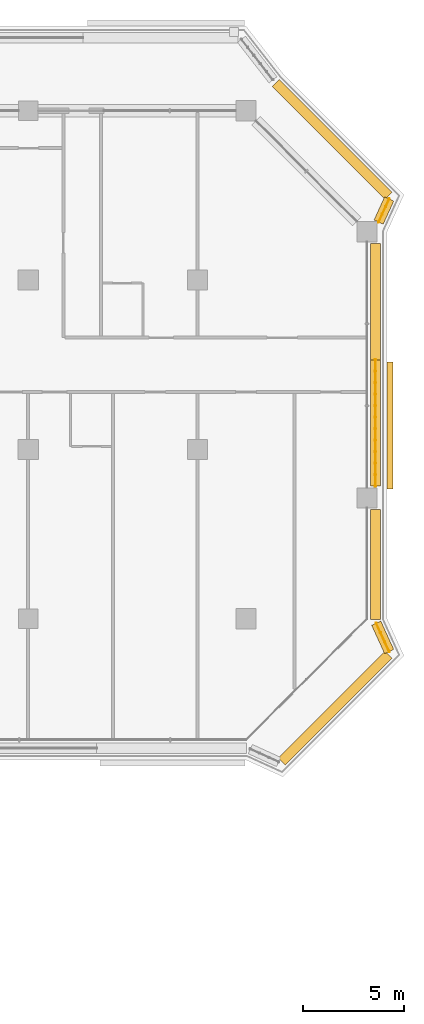
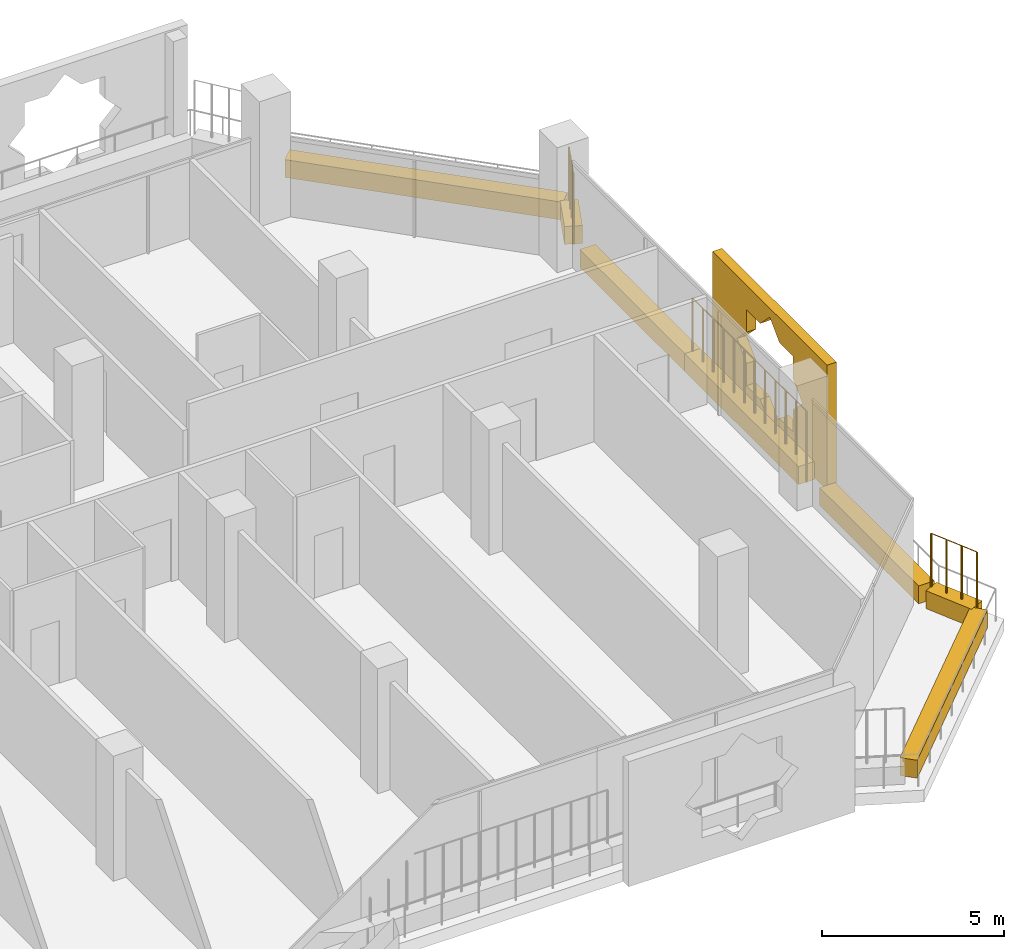
# One storey, part 23 of 23: 8 coverings, 3 railings.
"""IFC4 building model written with IfcOpenShell, lengths in metres."""

import ifcopenshell
import ifcopenshell.guid

model = None  # the IFC model being written
_history = None  # IfcOwnerHistory: only IFC2X3 demands one
_inside = {}  # id of a spatial element -> (the spatial element, [elements in it])
_under = {}  # id of a project, library or spatial element -> (it, [spatial elements below it])
_declared = {}  # id of a project -> (the project, [libraries it declares])
_typed = {}  # id of a type object -> (the type object, [elements of that type])
_made_of = {}  # id of a material, layer set ... -> (it, [elements and type objects made of it])


def new_model(schema):
    """Start an empty IFC model of exactly this schema.

    Asked for "IFC4X3", IfcOpenShell would pick the latest addendum, in which some entities
    have other attributes; the version numbers below select the first issue.
    IFC2X3 requires an IfcOwnerHistory on every rooted entity: one is made here for all.
    """
    global model, _history
    if schema == "IFC4X3":
        model = ifcopenshell.file(schema_version=(4, 3, 0, 0))
    else:
        model = ifcopenshell.file(schema=schema)
    _inside.clear()
    _under.clear()
    _declared.clear()
    _typed.clear()
    _made_of.clear()
    _history = None
    if model.schema == "IFC2X3":
        org = make("IfcOrganization", Name="unknown")
        user = make(
            "IfcPersonAndOrganization",
            ThePerson=make("IfcPerson", FamilyName="unknown"),
            TheOrganization=org,
        )
        app = make(
            "IfcApplication",
            ApplicationDeveloper=org,
            Version="unknown",
            ApplicationFullName="unknown",
            ApplicationIdentifier="unknown",
        )
        _history = make(
            "IfcOwnerHistory",
            OwningUser=user,
            OwningApplication=app,
            ChangeAction="ADDED",
            CreationDate=0,
        )
    return model


def make(cls, **values):
    """One entity of the class cls with the attributes given. An attribute that is None is left unset."""
    return model.create_entity(
        cls, **{name: value for name, value in values.items() if value is not None}
    )


def rooted(cls, **values):
    """An entity with a GlobalId (a new one), such as an element, a storey or a relation."""
    return make(cls, GlobalId=ifcopenshell.guid.new(), OwnerHistory=_history, **values)


def si_unit(unit_type, name, prefix=None):
    """IfcSIUnit, for example si_unit("LENGTHUNIT", "METRE", prefix="MILLI")."""
    return make("IfcSIUnit", UnitType=unit_type, Prefix=prefix, Name=name)


def assignment(units):
    """IfcUnitAssignment: the units of a project."""
    return None if units is None else make("IfcUnitAssignment", Units=units)


def point(xyz):
    """IfcCartesianPoint."""
    return None if xyz is None else make("IfcCartesianPoint", Coordinates=xyz)


def direction(xyz):
    """IfcDirection."""
    return None if xyz is None else make("IfcDirection", DirectionRatios=xyz)


def frame(location, z_axis=None, x_axis=None):
    """IfcAxis2Placement3D, a coordinate frame: its origin and axes. An axis left out is left unset."""
    return make(
        "IfcAxis2Placement3D",
        Location=point(location),
        Axis=direction(z_axis),
        RefDirection=direction(x_axis),
    )


def frame_2d(location, x_axis=None):
    """IfcAxis2Placement2D, a coordinate frame in the plane: its origin and x axis."""
    return make(
        "IfcAxis2Placement2D", Location=point(location), RefDirection=direction(x_axis)
    )


def origin():
    """The frame at (0, 0, 0) with its axes left unset."""
    return frame((0.0, 0.0, 0.0))


def origin_2d():
    """The frame at (0, 0) in the plane with its x axis left unset."""
    return frame_2d((0.0, 0.0))


def place(relative_to, where):
    """IfcLocalPlacement: puts the frame where relative to a parent placement (None: the world)."""
    return make(
        "IfcLocalPlacement", PlacementRelTo=relative_to, RelativePlacement=where
    )


def context(
    kind, dimensions, precision=None, world=None, true_north=None, identifier=None
):
    """IfcGeometricRepresentationContext, for example the 3D "Model" context."""
    return make(
        "IfcGeometricRepresentationContext",
        ContextIdentifier=identifier,
        ContextType=kind,
        CoordinateSpaceDimension=dimensions,
        Precision=precision,
        WorldCoordinateSystem=world,
        TrueNorth=true_north,
    )


def subcontext(parent, identifier, kind, view, scale=None):
    """IfcGeometricRepresentationSubContext, for example "Body" below "Model"."""
    return make(
        "IfcGeometricRepresentationSubContext",
        ContextIdentifier=identifier,
        ContextType=kind,
        ParentContext=parent,
        TargetScale=scale,
        TargetView=view,
    )


def project(units=None, contexts=None):
    """IfcProject with its units and contexts."""
    return rooted(
        "IfcProject",
        Name="project",
        RepresentationContexts=contexts,
        UnitsInContext=assignment(units),
    )


def spatial(cls, under=None, at=None, **own):
    """A site, building, storey or space (cls), placed at a placement, below another one or the project."""
    s = rooted(cls, ObjectPlacement=at, **own)
    if under is not None:
        _under.setdefault(under.id(), (under, []))[1].append(s)
    return s


def polyline(points):
    """IfcPolyline through the points."""
    return make("IfcPolyline", Points=[point(p) for p in points])


def profile(cls, at=None, kind="AREA", **sizes):
    """A parametric profile (cls). Its sizes go by their IFC names, for example OverallWidth=200.0."""
    return make(cls, ProfileType=kind, Position=at, **sizes)


def rectangle(**sizes):
    """IfcRectangleProfileDef."""
    return profile("IfcRectangleProfileDef", **sizes)


def circle(**sizes):
    """IfcCircleProfileDef."""
    return profile("IfcCircleProfileDef", **sizes)


def outline(outer, holes=None, kind="AREA"):
    """IfcArbitraryClosedProfileDef: a profile drawn as a closed curve; with holes, ...WithVoids."""
    if holes is None:
        return make("IfcArbitraryClosedProfileDef", ProfileType=kind, OuterCurve=outer)
    return make(
        "IfcArbitraryProfileDefWithVoids",
        ProfileType=kind,
        OuterCurve=outer,
        InnerCurves=holes,
    )


def extrude(swept, where, along, depth):
    """IfcExtrudedAreaSolid: the profile swept, set in the frame where, extruded along a direction by depth."""
    return make(
        "IfcExtrudedAreaSolid",
        SweptArea=swept,
        Position=where,
        ExtrudedDirection=direction(along),
        Depth=depth,
    )


def shape(context_of_items, identifier, shape_type, items):
    """IfcShapeRepresentation: the items that make up one representation, for example the "Body"."""
    return make(
        "IfcShapeRepresentation",
        ContextOfItems=context_of_items,
        RepresentationIdentifier=identifier,
        RepresentationType=shape_type,
        Items=items,
    )


def material(Name=None, Category=None):
    """IfcMaterial."""
    return make("IfcMaterial", Name=Name, Category=Category)


def material_profile(
    of_material, cross_section, Name=None, Category=None, Priority=None
):
    """IfcMaterialProfile: a cross section and its material."""
    return make(
        "IfcMaterialProfile",
        Name=Name,
        Material=of_material,
        Profile=cross_section,
        Priority=Priority,
        Category=Category,
    )


def profile_set(profiles, Name=None, composite=None):
    """IfcMaterialProfileSet."""
    return make(
        "IfcMaterialProfileSet",
        Name=Name,
        MaterialProfiles=profiles,
        CompositeProfile=composite,
    )


def made_of(thing, what):
    """Note that an element or type object is made of a material, layer set ...; save() writes the relation."""
    if what is not None:
        _made_of.setdefault(what.id(), (what, []))[1].append(thing)
    return thing


def type_object(cls, material=None, **own):
    """A type object (cls), such as IfcWallType, which elements share."""
    return made_of(rooted(cls, **own), material)


def element(
    cls,
    number,
    at=None,
    inside=None,
    cuts=None,
    type_object=None,
    material=None,
    context=None,
    identifier="Body",
    shape_type=None,
    held_by="IfcProductDefinitionShape",
    body=None,
    shapes=None,
    **own,
):
    """One element of the class cls, such as IfcWall. Its Tag is "e" and its number.

    at: its placement. inside: the storey or other place that contains it. cuts: it is an
    opening in that element (IfcRelVoidsElement). A single representation is given by context,
    identifier, shape_type and body (its items); several are given by shapes. held_by: the class
    of the entity that holds the representations. save() writes the other relations.
    """
    e = rooted(cls, Tag="e%d" % number, ObjectPlacement=at, **own)
    if body is not None:
        shapes = [shape(context, identifier, shape_type, body)]
    if shapes is not None:
        e.Representation = make(held_by, Representations=shapes)
    if inside is not None:
        _inside.setdefault(inside.id(), (inside, []))[1].append(e)
    if cuts is not None:
        rooted(
            "IfcRelVoidsElement", RelatingBuildingElement=cuts, RelatedOpeningElement=e
        )
    if type_object is not None:
        _typed.setdefault(type_object.id(), (type_object, []))[1].append(e)
    return made_of(e, material)


def aggregate(whole, parts):
    """IfcRelAggregates: a whole, such as a stair, and the parts it consists of."""
    return rooted("IfcRelAggregates", RelatingObject=whole, RelatedObjects=parts)


def save(model, path):
    """Write the relations noted so far, then the file.

    IfcRelAggregates (storeys below a building ...), IfcRelContainedInSpatialStructure (elements
    in a storey), IfcRelDefinesByType, IfcRelAssociatesMaterial and IfcRelDeclares: one each for
    every whole, place, type object, material and project.
    """
    for whole, parts in _under.values():
        aggregate(whole, parts)
    for where, things in _inside.values():
        rooted(
            "IfcRelContainedInSpatialStructure",
            RelatedElements=things,
            RelatingStructure=where,
        )
    for kind, things in _typed.values():
        rooted("IfcRelDefinesByType", RelatedObjects=things, RelatingType=kind)
    for what, things in _made_of.values():
        rooted("IfcRelAssociatesMaterial", RelatedObjects=things, RelatingMaterial=what)
    for by, libraries in _declared.values():
        rooted("IfcRelDeclares", RelatingContext=by, RelatedDefinitions=libraries)
    model.write(path)


model = new_model("IFC4")

# Units and contexts
model_context = context("Model", 3, precision=1e-05, world=origin(), true_north=direction((0.0, 1.0)))
body_context = subcontext(model_context, "Body", "Model", "MODEL_VIEW")
ifc_project = project(units=[si_unit("LENGTHUNIT", "METRE"), si_unit("AREAUNIT", "SQUARE_METRE"), si_unit("VOLUMEUNIT", "CUBIC_METRE"), si_unit("PLANEANGLEUNIT", "RADIAN"), si_unit("MASSUNIT", "GRAM", prefix="KILO")], contexts=[model_context])

# Site, building, storey
site_placement = place(None, origin())
site = spatial("IfcSite", under=ifc_project, at=site_placement, CompositionType="ELEMENT")
building_placement = place(site_placement, origin())
building = spatial("IfcBuilding", under=site, at=building_placement, Name="Kawkab Arch Medical Tower", CompositionType="ELEMENT")
storey_placement = place(building_placement, frame((0.0, 0.0, 175.199951171875)))
storey = spatial("IfcBuildingStorey", under=building, at=storey_placement, Name="L40", CompositionType="ELEMENT", Elevation=175.199951171875)

# Coverings
ifc_material_1 = material(Name="Bronze anodised aluminium mashrabiya panel, eight-point star pattern", Category="aluminium")
ifc_material_profile_1 = material_profile(ifc_material_1, outline(polyline([(-3.14990234375, -2.10009765625), (3.14990234375, -2.10009765625), (3.14990234375, 2.10009765625), (-3.14990234375, 2.10009765625), (-3.14990234375, -2.10009765625)]), holes=[polyline([(1.800048828125, 0.0), (1.272705078125, 0.527099609375), (1.272705078125, 1.272705078125), (0.527099609375, 1.272705078125), (0.0, 1.800048828125), (-0.527099609375, 1.272705078125), (-1.272705078125, 1.272705078125), (-1.272705078125, 0.527099609375), (-1.800048828125, 0.0), (-1.272705078125, -0.527099609375), (-1.272705078125, -1.272705078125), (-0.527099609375, -1.272705078125), (0.0, -1.800048828125), (0.527099609375, -1.272705078125), (1.272705078125, -1.272705078125), (1.272705078125, -0.527099609375), (1.800048828125, 0.0)])]), Name="Mashrabiya panel 6300x4200")
ifc_profile_set_1 = profile_set([ifc_material_profile_1], Name="Bronze anodised aluminium mashrabiya panel, eight-point star pattern")
covering_type_1 = type_object("IfcCoveringType", Name="Mashrabiya panel 6300 x 4200", PredefinedType="USERDEFINED", material=ifc_profile_set_1)
covering_1_placement = place(storey_placement, frame((68.199951171875, -15.60009765625, 1.699951171875), z_axis=(1.0, 0.0, 0.0), x_axis=(0.0, 1.0, 0.0)))
element("IfcCovering", 1, at=covering_1_placement, inside=storey, type_object=covering_type_1, Name="Mashrabiya panel L40.LOG-01-01.9", ObjectType="SCREEN", PredefinedType="USERDEFINED", context=body_context, shape_type="SweptSolid", body=[
    extrude(outline(polyline([(-3.14990234375, -2.10009765625), (3.14990234375, -2.10009765625), (3.14990234375, 2.10009765625), (-3.14990234375, 2.10009765625), (-3.14990234375, -2.10009765625)]), holes=[polyline([(1.800048828125, 0.0), (1.272705078125, 0.527099609375), (1.272705078125, 1.272705078125), (0.527099609375, 1.272705078125), (0.0, 1.800048828125), (-0.527099609375, 1.272705078125), (-1.272705078125, 1.272705078125), (-1.272705078125, 0.527099609375), (-1.800048828125, 0.0), (-1.272705078125, -0.527099609375), (-1.272705078125, -1.272705078125), (-0.527099609375, -1.272705078125), (0.0, -1.800048828125), (0.527099609375, -1.272705078125), (1.272705078125, -1.272705078125), (1.272705078125, -0.527099609375), (1.800048828125, 0.0)])]), origin(), (0.0, 0.0, 1.0), 0.300048828125),
])
ifc_material_2 = material(Name="Planting soil in a precast trough", Category="concrete")
ifc_material_profile_2 = material_profile(ifc_material_2, rectangle(XDim=0.5, YDim=0.60009765625, at=origin_2d()), Name="Trough 500x600")
ifc_profile_set_2 = profile_set([ifc_material_profile_2], Name="Planting soil in a precast trough")
covering_type_2 = type_object("IfcCoveringType", Name="Planter trough 500 x 600", PredefinedType="USERDEFINED", material=ifc_profile_set_2)
covering_2_placement = place(storey_placement, frame((62.673095703125, 1.383056640625, 0.300048828125), z_axis=(0.707091367247, -0.70712219479, 0.0), x_axis=(0.70712219479, 0.707091367247, 0.0)))
element("IfcCovering", 2, at=covering_2_placement, inside=storey, type_object=covering_type_2, Name="Planter L40.LOG-01-01.26", ObjectType="PLANTER", PredefinedType="USERDEFINED", context=body_context, shape_type="SweptSolid", body=[
    extrude(rectangle(XDim=0.5, YDim=0.60009765625, at=origin_2d()), origin(), (0.0, 0.0, 1.0), 7.919677734375),
])
covering_3_placement = place(storey_placement, frame((68.302001953125, -4.37890625, 0.300048828125), z_axis=(-0.415089762627, -0.909780461959, 0.0), x_axis=(0.909780461959, -0.415089762627, 0.0)))
element("IfcCovering", 3, at=covering_3_placement, inside=storey, type_object=covering_type_2, Name="Planter L40.LOG-01-01.27", ObjectType="PLANTER", PredefinedType="USERDEFINED", context=body_context, shape_type="SweptSolid", body=[
    extrude(rectangle(XDim=0.5, YDim=0.60009765625, at=origin_2d()), origin(), (0.0, 0.0, 1.0), 1.257568359375),
])
covering_4_placement = place(storey_placement, frame((67.6201171875, -6.580078125, 0.300048828125), z_axis=(0.0, -1.0, 0.0), x_axis=(1.0, 0.0, 0.0)))
element("IfcCovering", 4, at=covering_4_placement, inside=storey, type_object=covering_type_2, Name="Planter L40.LOG-01-01.28", ObjectType="PLANTER", PredefinedType="USERDEFINED", context=body_context, shape_type="SweptSolid", body=[
    extrude(rectangle(XDim=0.5, YDim=0.60009765625, at=origin_2d()), origin(), (0.0, 0.0, 1.0), 5.77783203125),
])
covering_5_placement = place(storey_placement, frame((67.6201171875, -12.35791015625, 0.300048828125), z_axis=(0.0, -1.0, 0.0), x_axis=(1.0, 0.0, 0.0)))
element("IfcCovering", 5, at=covering_5_placement, inside=storey, type_object=covering_type_2, Name="Planter L40.LOG-01-01.29", ObjectType="PLANTER", PredefinedType="USERDEFINED", context=body_context, shape_type="SweptSolid", body=[
    extrude(rectangle(XDim=0.5, YDim=0.60009765625, at=origin_2d()), origin(), (0.0, 0.0, 1.0), 6.26220703125),
])
covering_6_placement = place(storey_placement, frame((67.6201171875, -19.780029296875, 0.300048828125), z_axis=(0.0, -1.0, 0.0), x_axis=(1.0, 0.0, 0.0)))
element("IfcCovering", 6, at=covering_6_placement, inside=storey, type_object=covering_type_2, Name="Planter L40.LOG-01-01.30", ObjectType="PLANTER", PredefinedType="USERDEFINED", context=body_context, shape_type="SweptSolid", body=[
    extrude(rectangle(XDim=0.5, YDim=0.60009765625, at=origin_2d()), origin(), (0.0, 0.0, 1.0), 5.446044921875),
])
covering_7_placement = place(storey_placement, frame((67.660888671875, -25.4169921875, 0.300048828125), z_axis=(0.415363486165, -0.909655525109, 0.0), x_axis=(0.909655525109, 0.415363486165, 0.0)))
element("IfcCovering", 7, at=covering_7_placement, inside=storey, type_object=covering_type_2, Name="Planter L40.LOG-01-01.31", ObjectType="PLANTER", PredefinedType="USERDEFINED", context=body_context, shape_type="SweptSolid", body=[
    extrude(rectangle(XDim=0.5, YDim=0.60009765625, at=origin_2d()), origin(), (0.0, 0.0, 1.0), 1.54345703125),
])
covering_8_placement = place(storey_placement, frame((68.27294921875, -26.98291015625, 0.300048828125), z_axis=(-0.707106781187, -0.707106781187, 0.0), x_axis=(0.707106781187, -0.707106781187, 0.0)))
element("IfcCovering", 8, at=covering_8_placement, inside=storey, type_object=covering_type_2, Name="Planter L40.LOG-01-01.32", ObjectType="PLANTER", PredefinedType="USERDEFINED", context=body_context, shape_type="SweptSolid", body=[
    extrude(rectangle(XDim=0.5, YDim=0.60009765625, at=origin_2d()), origin(), (0.0, 0.0, 1.0), 7.481201171875),
])

# Railings
ifc_material_3 = material(Name="Bronze anodised aluminium trellis for climbing plants", Category="aluminium")
railing_type = type_object("IfcRailingType", Name="Planting trellis 2400", PredefinedType="USERDEFINED", material=ifc_material_3)
railing_1_placement = place(storey_placement, frame((68.302001953125, -4.37890625, 0.0)))
element("IfcRailing", 9, at=railing_1_placement, inside=storey, type_object=railing_type, Name="Planting trellis L40.LOG-01-01.27", ObjectType="TRELLIS", PredefinedType="USERDEFINED", context=body_context, shape_type="SweptSolid", body=[
    extrude(circle(Radius=0.01513671875, at=origin_2d()), frame((0.0, 0.0, 2.384765625), z_axis=(-0.415089762627, -0.909780461959, 0.0), x_axis=(0.909780461959, -0.415089762627, 0.0)), (0.0, 0.0, 1.0), 1.257568359375),
    extrude(circle(Radius=0.030029296875, at=origin_2d()), origin(), (0.0, 0.0, 1.0), 2.369873046875),
    extrude(circle(Radius=0.030029296875, at=origin_2d()), frame((-0.174072265625, -0.38134765625, 0.0)), (0.0, 0.0, 1.0), 2.369873046875),
    extrude(circle(Radius=0.030029296875, at=origin_2d()), frame((-0.347900390625, -0.7626953125, 0.0)), (0.0, 0.0, 1.0), 2.369873046875),
    extrude(circle(Radius=0.030029296875, at=origin_2d()), frame((-0.52197265625, -1.14404296875, 0.0)), (0.0, 0.0, 1.0), 2.369873046875),
])
railing_2_placement = place(storey_placement, frame((67.6201171875, -12.35791015625, 0.0)))
element("IfcRailing", 10, at=railing_2_placement, inside=storey, type_object=railing_type, Name="Planting trellis L40.LOG-01-01.29", ObjectType="TRELLIS", PredefinedType="USERDEFINED", context=body_context, shape_type="SweptSolid", body=[
    extrude(circle(Radius=0.01513671875, at=origin_2d()), frame((0.0, 0.0, 2.384765625), z_axis=(0.0, -1.0, 0.0), x_axis=(1.0, 0.0, 0.0)), (0.0, 0.0, 1.0), 6.26220703125),
    extrude(circle(Radius=0.030029296875, at=origin_2d()), origin(), (0.0, 0.0, 1.0), 2.369873046875),
    extrude(circle(Radius=0.030029296875, at=origin_2d()), frame((0.0, -0.5693359375, 0.0)), (0.0, 0.0, 1.0), 2.369873046875),
    extrude(circle(Radius=0.030029296875, at=origin_2d()), frame((0.0, -1.138671875, 0.0)), (0.0, 0.0, 1.0), 2.369873046875),
    extrude(circle(Radius=0.030029296875, at=origin_2d()), frame((0.0, -1.707763671875, 0.0)), (0.0, 0.0, 1.0), 2.369873046875),
    extrude(circle(Radius=0.030029296875, at=origin_2d()), frame((0.0, -2.277099609375, 0.0)), (0.0, 0.0, 1.0), 2.369873046875),
    extrude(circle(Radius=0.030029296875, at=origin_2d()), frame((0.0, -2.846435546875, 0.0)), (0.0, 0.0, 1.0), 2.369873046875),
    extrude(circle(Radius=0.030029296875, at=origin_2d()), frame((0.0, -3.415771484375, 0.0)), (0.0, 0.0, 1.0), 2.369873046875),
    extrude(circle(Radius=0.030029296875, at=origin_2d()), frame((0.0, -3.985107421875, 0.0)), (0.0, 0.0, 1.0), 2.369873046875),
    extrude(circle(Radius=0.030029296875, at=origin_2d()), frame((0.0, -4.554443359375, 0.0)), (0.0, 0.0, 1.0), 2.369873046875),
    extrude(circle(Radius=0.030029296875, at=origin_2d()), frame((0.0, -5.12353515625, 0.0)), (0.0, 0.0, 1.0), 2.369873046875),
    extrude(circle(Radius=0.030029296875, at=origin_2d()), frame((0.0, -5.69287109375, 0.0)), (0.0, 0.0, 1.0), 2.369873046875),
    extrude(circle(Radius=0.030029296875, at=origin_2d()), frame((0.0, -6.26220703125, 0.0)), (0.0, 0.0, 1.0), 2.369873046875),
])
railing_3_placement = place(storey_placement, frame((67.660888671875, -25.4169921875, 0.0)))
element("IfcRailing", 11, at=railing_3_placement, inside=storey, type_object=railing_type, Name="Planting trellis L40.LOG-01-01.31", ObjectType="TRELLIS", PredefinedType="USERDEFINED", context=body_context, shape_type="SweptSolid", body=[
    extrude(circle(Radius=0.01513671875, at=origin_2d()), frame((0.0, 0.0, 2.384765625), z_axis=(0.415363486165, -0.909655525109, 0.0), x_axis=(0.909655525109, 0.415363486165, 0.0)), (0.0, 0.0, 1.0), 1.54345703125),
    extrude(circle(Radius=0.030029296875, at=origin_2d()), origin(), (0.0, 0.0, 1.0), 2.369873046875),
    extrude(circle(Radius=0.030029296875, at=origin_2d()), frame((0.213623046875, -0.468017578125, 0.0)), (0.0, 0.0, 1.0), 2.369873046875),
    extrude(circle(Radius=0.030029296875, at=origin_2d()), frame((0.427490234375, -0.93603515625, 0.0)), (0.0, 0.0, 1.0), 2.369873046875),
    extrude(circle(Radius=0.030029296875, at=origin_2d()), frame((0.64111328125, -1.404052734375, 0.0)), (0.0, 0.0, 1.0), 2.369873046875),
])

save(model, "model.ifc")
